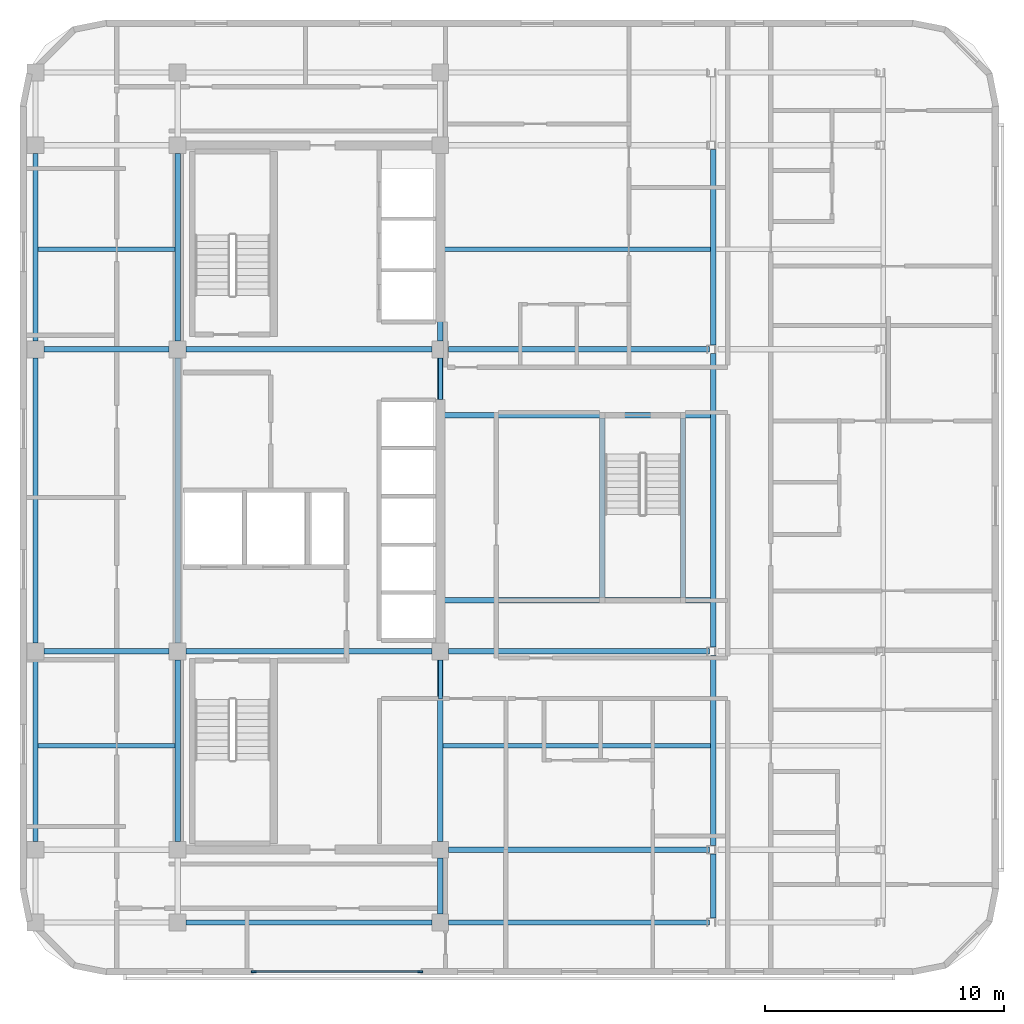
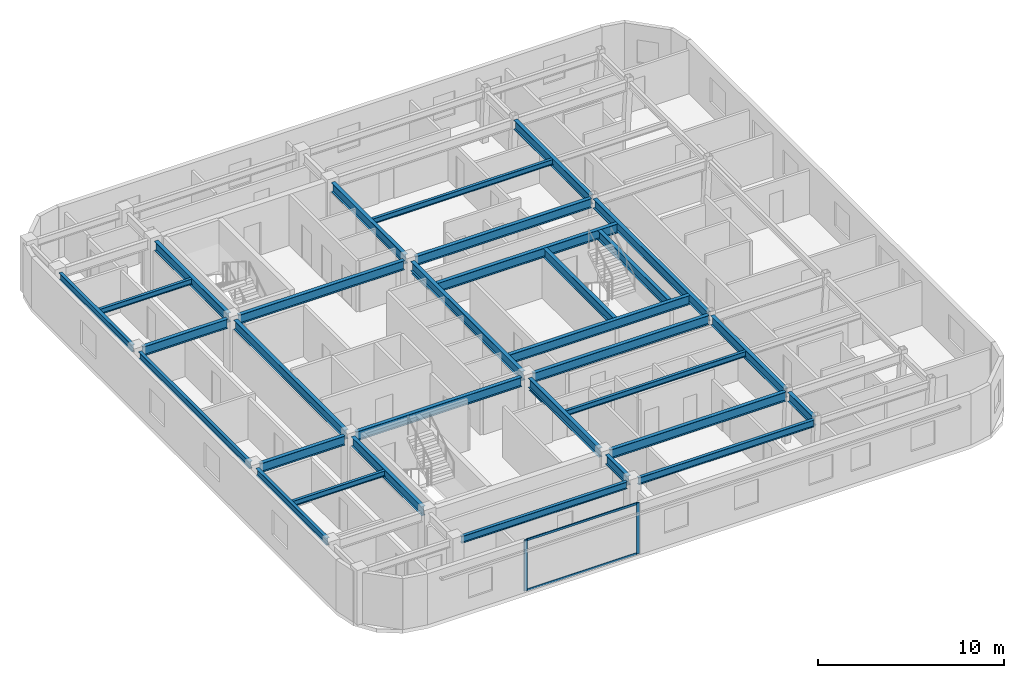
# One storey, part 2 of 11: 33 beams, 4 members, 1 element without a shape of its own.
"""IFC4 building model written with IfcOpenShell, lengths in metres."""

import ifcopenshell
import ifcopenshell.guid

model = None  # the IFC model being written
_history = None  # IfcOwnerHistory: only IFC2X3 demands one
_inside = {}  # id of a spatial element -> (the spatial element, [elements in it])
_under = {}  # id of a project, library or spatial element -> (it, [spatial elements below it])
_declared = {}  # id of a project -> (the project, [libraries it declares])
_typed = {}  # id of a type object -> (the type object, [elements of that type])
_made_of = {}  # id of a material, layer set ... -> (it, [elements and type objects made of it])


def new_model(schema):
    """Start an empty IFC model of exactly this schema.

    Asked for "IFC4X3", IfcOpenShell would pick the latest addendum, in which some entities
    have other attributes; the version numbers below select the first issue.
    IFC2X3 requires an IfcOwnerHistory on every rooted entity: one is made here for all.
    """
    global model, _history
    if schema == "IFC4X3":
        model = ifcopenshell.file(schema_version=(4, 3, 0, 0))
    else:
        model = ifcopenshell.file(schema=schema)
    _inside.clear()
    _under.clear()
    _declared.clear()
    _typed.clear()
    _made_of.clear()
    _history = None
    if model.schema == "IFC2X3":
        org = make("IfcOrganization", Name="unknown")
        user = make(
            "IfcPersonAndOrganization",
            ThePerson=make("IfcPerson", FamilyName="unknown"),
            TheOrganization=org,
        )
        app = make(
            "IfcApplication",
            ApplicationDeveloper=org,
            Version="unknown",
            ApplicationFullName="unknown",
            ApplicationIdentifier="unknown",
        )
        _history = make(
            "IfcOwnerHistory",
            OwningUser=user,
            OwningApplication=app,
            ChangeAction="ADDED",
            CreationDate=0,
        )
    return model


def make(cls, **values):
    """One entity of the class cls with the attributes given. An attribute that is None is left unset."""
    return model.create_entity(
        cls, **{name: value for name, value in values.items() if value is not None}
    )


def rooted(cls, **values):
    """An entity with a GlobalId (a new one), such as an element, a storey or a relation."""
    return make(cls, GlobalId=ifcopenshell.guid.new(), OwnerHistory=_history, **values)


def si_unit(unit_type, name, prefix=None):
    """IfcSIUnit, for example si_unit("LENGTHUNIT", "METRE", prefix="MILLI")."""
    return make("IfcSIUnit", UnitType=unit_type, Prefix=prefix, Name=name)


def assignment(units):
    """IfcUnitAssignment: the units of a project."""
    return None if units is None else make("IfcUnitAssignment", Units=units)


def point(xyz):
    """IfcCartesianPoint."""
    return None if xyz is None else make("IfcCartesianPoint", Coordinates=xyz)


def direction(xyz):
    """IfcDirection."""
    return None if xyz is None else make("IfcDirection", DirectionRatios=xyz)


def frame(location, z_axis=None, x_axis=None):
    """IfcAxis2Placement3D, a coordinate frame: its origin and axes. An axis left out is left unset."""
    return make(
        "IfcAxis2Placement3D",
        Location=point(location),
        Axis=direction(z_axis),
        RefDirection=direction(x_axis),
    )


def frame_2d(location, x_axis=None):
    """IfcAxis2Placement2D, a coordinate frame in the plane: its origin and x axis."""
    return make(
        "IfcAxis2Placement2D", Location=point(location), RefDirection=direction(x_axis)
    )


def origin():
    """The frame at (0, 0, 0) with its axes left unset."""
    return frame((0.0, 0.0, 0.0))


def origin_2d():
    """The frame at (0, 0) in the plane with its x axis left unset."""
    return frame_2d((0.0, 0.0))


def place(relative_to, where):
    """IfcLocalPlacement: puts the frame where relative to a parent placement (None: the world)."""
    return make(
        "IfcLocalPlacement", PlacementRelTo=relative_to, RelativePlacement=where
    )


def context(
    kind, dimensions, precision=None, world=None, true_north=None, identifier=None
):
    """IfcGeometricRepresentationContext, for example the 3D "Model" context."""
    return make(
        "IfcGeometricRepresentationContext",
        ContextIdentifier=identifier,
        ContextType=kind,
        CoordinateSpaceDimension=dimensions,
        Precision=precision,
        WorldCoordinateSystem=world,
        TrueNorth=true_north,
    )


def subcontext(parent, identifier, kind, view, scale=None):
    """IfcGeometricRepresentationSubContext, for example "Body" below "Model"."""
    return make(
        "IfcGeometricRepresentationSubContext",
        ContextIdentifier=identifier,
        ContextType=kind,
        ParentContext=parent,
        TargetScale=scale,
        TargetView=view,
    )


def project(units=None, contexts=None):
    """IfcProject with its units and contexts."""
    return rooted(
        "IfcProject",
        Name="project",
        RepresentationContexts=contexts,
        UnitsInContext=assignment(units),
    )


def spatial(cls, under=None, at=None, **own):
    """A site, building, storey or space (cls), placed at a placement, below another one or the project."""
    s = rooted(cls, ObjectPlacement=at, **own)
    if under is not None:
        _under.setdefault(under.id(), (under, []))[1].append(s)
    return s


def profile(cls, at=None, kind="AREA", **sizes):
    """A parametric profile (cls). Its sizes go by their IFC names, for example OverallWidth=200.0."""
    return make(cls, ProfileType=kind, Position=at, **sizes)


def rectangle(**sizes):
    """IfcRectangleProfileDef."""
    return profile("IfcRectangleProfileDef", **sizes)


def i_section(**sizes):
    """IfcIShapeProfileDef."""
    return profile("IfcIShapeProfileDef", **sizes)


def extrude(swept, where, along, depth):
    """IfcExtrudedAreaSolid: the profile swept, set in the frame where, extruded along a direction by depth."""
    return make(
        "IfcExtrudedAreaSolid",
        SweptArea=swept,
        Position=where,
        ExtrudedDirection=direction(along),
        Depth=depth,
    )


def shape(context_of_items, identifier, shape_type, items):
    """IfcShapeRepresentation: the items that make up one representation, for example the "Body"."""
    return make(
        "IfcShapeRepresentation",
        ContextOfItems=context_of_items,
        RepresentationIdentifier=identifier,
        RepresentationType=shape_type,
        Items=items,
    )


def material(Name=None, Category=None):
    """IfcMaterial."""
    return make("IfcMaterial", Name=Name, Category=Category)


def layer(
    of_material, thickness, ventilated=None, Name=None, Category=None, Priority=None
):
    """IfcMaterialLayer: one layer of a wall or slab, of a material (None: an air gap)."""
    return make(
        "IfcMaterialLayer",
        Material=of_material,
        LayerThickness=thickness,
        IsVentilated=ventilated,
        Name=Name,
        Category=Category,
        Priority=Priority,
    )


def layer_set(layers, Name=None):
    """IfcMaterialLayerSet."""
    return make("IfcMaterialLayerSet", MaterialLayers=layers, LayerSetName=Name)


def material_profile(
    of_material, cross_section, Name=None, Category=None, Priority=None
):
    """IfcMaterialProfile: a cross section and its material."""
    return make(
        "IfcMaterialProfile",
        Name=Name,
        Material=of_material,
        Profile=cross_section,
        Priority=Priority,
        Category=Category,
    )


def profile_set(profiles, Name=None, composite=None):
    """IfcMaterialProfileSet."""
    return make(
        "IfcMaterialProfileSet",
        Name=Name,
        MaterialProfiles=profiles,
        CompositeProfile=composite,
    )


def made_of(thing, what):
    """Note that an element or type object is made of a material, layer set ...; save() writes the relation."""
    if what is not None:
        _made_of.setdefault(what.id(), (what, []))[1].append(thing)
    return thing


def type_object(cls, material=None, **own):
    """A type object (cls), such as IfcWallType, which elements share."""
    return made_of(rooted(cls, **own), material)


def element(
    cls,
    number,
    at=None,
    inside=None,
    cuts=None,
    type_object=None,
    material=None,
    context=None,
    identifier="Body",
    shape_type=None,
    held_by="IfcProductDefinitionShape",
    body=None,
    shapes=None,
    **own,
):
    """One element of the class cls, such as IfcWall. Its Tag is "e" and its number.

    at: its placement. inside: the storey or other place that contains it. cuts: it is an
    opening in that element (IfcRelVoidsElement). A single representation is given by context,
    identifier, shape_type and body (its items); several are given by shapes. held_by: the class
    of the entity that holds the representations. save() writes the other relations.
    """
    e = rooted(cls, Tag="e%d" % number, ObjectPlacement=at, **own)
    if body is not None:
        shapes = [shape(context, identifier, shape_type, body)]
    if shapes is not None:
        e.Representation = make(held_by, Representations=shapes)
    if inside is not None:
        _inside.setdefault(inside.id(), (inside, []))[1].append(e)
    if cuts is not None:
        rooted(
            "IfcRelVoidsElement", RelatingBuildingElement=cuts, RelatedOpeningElement=e
        )
    if type_object is not None:
        _typed.setdefault(type_object.id(), (type_object, []))[1].append(e)
    return made_of(e, material)


def aggregate(whole, parts):
    """IfcRelAggregates: a whole, such as a stair, and the parts it consists of."""
    return rooted("IfcRelAggregates", RelatingObject=whole, RelatedObjects=parts)


def save(model, path):
    """Write the relations noted so far, then the file.

    IfcRelAggregates (storeys below a building ...), IfcRelContainedInSpatialStructure (elements
    in a storey), IfcRelDefinesByType, IfcRelAssociatesMaterial and IfcRelDeclares: one each for
    every whole, place, type object, material and project.
    """
    for whole, parts in _under.values():
        aggregate(whole, parts)
    for where, things in _inside.values():
        rooted(
            "IfcRelContainedInSpatialStructure",
            RelatedElements=things,
            RelatingStructure=where,
        )
    for kind, things in _typed.values():
        rooted("IfcRelDefinesByType", RelatedObjects=things, RelatingType=kind)
    for what, things in _made_of.values():
        rooted("IfcRelAssociatesMaterial", RelatedObjects=things, RelatingMaterial=what)
    for by, libraries in _declared.values():
        rooted("IfcRelDeclares", RelatingContext=by, RelatedDefinitions=libraries)
    model.write(path)


model = new_model("IFC4")

# Units and contexts
model_context = context("Model", 3, precision=1e-05, world=origin(), true_north=direction((0.0, 1.0)))
body_context = subcontext(model_context, "Body", "Model", "MODEL_VIEW")
ifc_project = project(units=[si_unit("LENGTHUNIT", "METRE"), si_unit("AREAUNIT", "SQUARE_METRE"), si_unit("VOLUMEUNIT", "CUBIC_METRE"), si_unit("PLANEANGLEUNIT", "RADIAN"), si_unit("MASSUNIT", "GRAM", prefix="KILO")], contexts=[model_context])

# Site, building, storey
site_placement = place(None, origin())
site = spatial("IfcSite", under=ifc_project, at=site_placement, CompositionType="ELEMENT")
building_placement = place(site_placement, origin())
building = spatial("IfcBuilding", under=site, at=building_placement, Name="Ochreholt Gables", CompositionType="ELEMENT")
storey_placement = place(building_placement, frame((0.0, 0.0, 188.39990234375)))
storey = spatial("IfcBuildingStorey", under=building, at=storey_placement, Name="L49", CompositionType="ELEMENT", Elevation=188.39990234375)

# Beams
ifc_material_1 = material(Name="Steel CSA G40.21 350W", Category="steel")
ifc_material_profile_1 = material_profile(ifc_material_1, i_section(OverallWidth=0.22900390625, OverallDepth=0.612060546875, WebThickness=0.011962890625, FlangeThickness=0.01953125, at=origin_2d()), Name="W610X125")
ifc_profile_set_1 = profile_set([ifc_material_profile_1], Name="Steel CSA G40.21 350W")
beam_type_1 = type_object("IfcBeamType", Name="BM-G-W610B", PredefinedType="BEAM", material=ifc_profile_set_1)
beam_1_placement = place(storey_placement, frame((35.549560546875, 9.25, 3.044189453125), z_axis=(1.0, 0.0, 0.0), x_axis=(0.0, 1.0, 0.0)))
element("IfcBeam", 1, at=beam_1_placement, inside=storey, type_object=beam_type_1, Name="L49 Beam TBG-L49-C2EM-Y2", PredefinedType="BEAM", context=body_context, shape_type="SweptSolid", body=[
    extrude(i_section(OverallWidth=0.22900390625, OverallDepth=0.612060546875, WebThickness=0.011962890625, FlangeThickness=0.01953125, at=origin_2d()), origin(), (0.0, 0.0, 1.0), 10.928955078125),
])
beam_2_placement = place(storey_placement, frame((18.599609375, 17.550048828125, 3.044189453125), z_axis=(1.0, 0.0, 0.0), x_axis=(0.0, 1.0, 0.0)))
element("IfcBeam", 2, at=beam_2_placement, inside=storey, type_object=beam_type_1, Name="L49 Beam TBG-L49-W3C1-Y3", PredefinedType="BEAM", context=body_context, shape_type="SweptSolid", body=[
    extrude(i_section(OverallWidth=0.22900390625, OverallDepth=0.612060546875, WebThickness=0.011962890625, FlangeThickness=0.01953125, at=origin_2d()), origin(), (0.0, 0.0, 1.0), 5.250732421875),
])
beam_3_placement = place(storey_placement, frame((24.549560546875, 17.550048828125, 3.044189453125), z_axis=(1.0, 0.0, 0.0), x_axis=(0.0, 1.0, 0.0)))
element("IfcBeam", 3, at=beam_3_placement, inside=storey, type_object=beam_type_1, Name="L49 Beam TBG-L49-C1C2-Y3", PredefinedType="BEAM", context=body_context, shape_type="SweptSolid", body=[
    extrude(i_section(OverallWidth=0.22900390625, OverallDepth=0.612060546875, WebThickness=0.011962890625, FlangeThickness=0.01953125, at=origin_2d()), origin(), (0.0, 0.0, 1.0), 10.30078125),
])
beam_4_placement = place(storey_placement, frame((35.549560546875, 17.550048828125, 3.044189453125), z_axis=(1.0, 0.0, 0.0), x_axis=(0.0, 1.0, 0.0)))
element("IfcBeam", 4, at=beam_4_placement, inside=storey, type_object=beam_type_1, Name="L49 Beam TBG-L49-C2EM-Y3", PredefinedType="BEAM", context=body_context, shape_type="SweptSolid", body=[
    extrude(i_section(OverallWidth=0.22900390625, OverallDepth=0.612060546875, WebThickness=0.011962890625, FlangeThickness=0.01953125, at=origin_2d()), origin(), (0.0, 0.0, 1.0), 10.928955078125),
])
beam_5_placement = place(storey_placement, frame((18.599609375, 30.199951171875, 3.044189453125), z_axis=(1.0, 0.0, 0.0), x_axis=(0.0, 1.0, 0.0)))
element("IfcBeam", 5, at=beam_5_placement, inside=storey, type_object=beam_type_1, Name="L49 Beam TBG-L49-W3C1-Y4", PredefinedType="BEAM", context=body_context, shape_type="SweptSolid", body=[
    extrude(i_section(OverallWidth=0.22900390625, OverallDepth=0.612060546875, WebThickness=0.011962890625, FlangeThickness=0.01953125, at=origin_2d()), origin(), (0.0, 0.0, 1.0), 5.250732421875),
])
beam_6_placement = place(storey_placement, frame((24.549560546875, 30.199951171875, 3.044189453125), z_axis=(1.0, 0.0, 0.0), x_axis=(0.0, 1.0, 0.0)))
element("IfcBeam", 6, at=beam_6_placement, inside=storey, type_object=beam_type_1, Name="L49 Beam TBG-L49-C1C2-Y4", PredefinedType="BEAM", context=body_context, shape_type="SweptSolid", body=[
    extrude(i_section(OverallWidth=0.22900390625, OverallDepth=0.612060546875, WebThickness=0.011962890625, FlangeThickness=0.01953125, at=origin_2d()), origin(), (0.0, 0.0, 1.0), 10.30078125),
])
beam_7_placement = place(storey_placement, frame((35.549560546875, 30.199951171875, 3.044189453125), z_axis=(1.0, 0.0, 0.0), x_axis=(0.0, 1.0, 0.0)))
element("IfcBeam", 7, at=beam_7_placement, inside=storey, type_object=beam_type_1, Name="L49 Beam TBG-L49-C2EM-Y4", PredefinedType="BEAM", context=body_context, shape_type="SweptSolid", body=[
    extrude(i_section(OverallWidth=0.22900390625, OverallDepth=0.612060546875, WebThickness=0.011962890625, FlangeThickness=0.01953125, at=origin_2d()), origin(), (0.0, 0.0, 1.0), 10.928955078125),
])
beam_8_placement = place(storey_placement, frame((24.199951171875, 9.599609375, 3.044189453125), z_axis=(0.0, 1.0, 0.0), x_axis=(-1.0, 0.0, 0.0)))
element("IfcBeam", 8, at=beam_8_placement, inside=storey, type_object=beam_type_1, Name="L49 Beam TBN-L49-C1-Y2Y3", PredefinedType="BEAM", context=body_context, shape_type="SweptSolid", body=[
    extrude(i_section(OverallWidth=0.22900390625, OverallDepth=0.612060546875, WebThickness=0.011962890625, FlangeThickness=0.01953125, at=origin_2d()), origin(), (0.0, 0.0, 1.0), 7.600830078125),
])
beam_9_placement = place(storey_placement, frame((24.199951171875, 17.899658203125, 3.044189453125), z_axis=(0.0, 1.0, 0.0), x_axis=(-1.0, 0.0, 0.0)))
element("IfcBeam", 9, at=beam_9_placement, inside=storey, type_object=beam_type_1, Name="L49 Beam TBN-L49-C1-Y3Y4", PredefinedType="BEAM", context=body_context, shape_type="SweptSolid", body=[
    extrude(i_section(OverallWidth=0.22900390625, OverallDepth=0.612060546875, WebThickness=0.011962890625, FlangeThickness=0.01953125, at=origin_2d()), origin(), (0.0, 0.0, 1.0), 11.95068359375),
])
beam_10_placement = place(storey_placement, frame((24.199951171875, 30.549560546875, 3.044189453125), z_axis=(0.0, 1.0, 0.0), x_axis=(-1.0, 0.0, 0.0)))
element("IfcBeam", 10, at=beam_10_placement, inside=storey, type_object=beam_type_1, Name="L49 Beam TBN-L49-C1-Y4Y5", PredefinedType="BEAM", context=body_context, shape_type="SweptSolid", body=[
    extrude(i_section(OverallWidth=0.22900390625, OverallDepth=0.612060546875, WebThickness=0.011962890625, FlangeThickness=0.01953125, at=origin_2d()), origin(), (0.0, 0.0, 1.0), 7.850830078125),
])
beam_11_placement = place(storey_placement, frame((35.199951171875, 6.549560546875, 3.044189453125), z_axis=(0.0, 1.0, 0.0), x_axis=(-1.0, 0.0, 0.0)))
element("IfcBeam", 11, at=beam_11_placement, inside=storey, type_object=beam_type_1, Name="L49 Beam TBN-L49-C2-Y1Y2", PredefinedType="BEAM", context=body_context, shape_type="SweptSolid", body=[
    extrude(i_section(OverallWidth=0.22900390625, OverallDepth=0.612060546875, WebThickness=0.011962890625, FlangeThickness=0.01953125, at=origin_2d()), origin(), (0.0, 0.0, 1.0), 2.350830078125),
])
beam_12_placement = place(storey_placement, frame((35.199951171875, 9.599609375, 3.044189453125), z_axis=(0.0, 1.0, 0.0), x_axis=(-1.0, 0.0, 0.0)))
element("IfcBeam", 12, at=beam_12_placement, inside=storey, type_object=beam_type_1, Name="L49 Beam TBN-L49-C2-Y2Y3", PredefinedType="BEAM", context=body_context, shape_type="SweptSolid", body=[
    extrude(i_section(OverallWidth=0.22900390625, OverallDepth=0.612060546875, WebThickness=0.011962890625, FlangeThickness=0.01953125, at=origin_2d()), origin(), (0.0, 0.0, 1.0), 7.600830078125),
])
beam_13_placement = place(storey_placement, frame((35.199951171875, 17.899658203125, 3.044189453125), z_axis=(0.0, 1.0, 0.0), x_axis=(-1.0, 0.0, 0.0)))
element("IfcBeam", 13, at=beam_13_placement, inside=storey, type_object=beam_type_1, Name="L49 Beam TBN-L49-C2-Y3Y4", PredefinedType="BEAM", context=body_context, shape_type="SweptSolid", body=[
    extrude(i_section(OverallWidth=0.22900390625, OverallDepth=0.612060546875, WebThickness=0.011962890625, FlangeThickness=0.01953125, at=origin_2d()), origin(), (0.0, 0.0, 1.0), 11.95068359375),
])
beam_14_placement = place(storey_placement, frame((35.199951171875, 30.549560546875, 3.044189453125), z_axis=(0.0, 1.0, 0.0), x_axis=(-1.0, 0.0, 0.0)))
element("IfcBeam", 14, at=beam_14_placement, inside=storey, type_object=beam_type_1, Name="L49 Beam TBN-L49-C2-Y4Y5", PredefinedType="BEAM", context=body_context, shape_type="SweptSolid", body=[
    extrude(i_section(OverallWidth=0.22900390625, OverallDepth=0.612060546875, WebThickness=0.011962890625, FlangeThickness=0.01953125, at=origin_2d()), origin(), (0.0, 0.0, 1.0), 7.850830078125),
])
beam_15_placement = place(storey_placement, frame((46.638427734375, 6.377685546875, 3.044189453125), z_axis=(0.0, 1.0, 0.0), x_axis=(-1.0, 0.0, 0.0)))
element("IfcBeam", 15, at=beam_15_placement, inside=storey, type_object=beam_type_1, Name="L49 Beam TBN-L49-EM-Y1Y2", PredefinedType="BEAM", context=body_context, shape_type="SweptSolid", body=[
    extrude(i_section(OverallWidth=0.22900390625, OverallDepth=0.612060546875, WebThickness=0.011962890625, FlangeThickness=0.01953125, at=origin_2d()), origin(), (0.0, 0.0, 1.0), 2.69482421875),
])
beam_16_placement = place(storey_placement, frame((46.638427734375, 9.427490234375, 3.044189453125), z_axis=(0.0, 1.0, 0.0), x_axis=(-1.0, 0.0, 0.0)))
element("IfcBeam", 16, at=beam_16_placement, inside=storey, type_object=beam_type_1, Name="L49 Beam TBN-L49-EM-Y2Y3", PredefinedType="BEAM", context=body_context, shape_type="SweptSolid", body=[
    extrude(i_section(OverallWidth=0.22900390625, OverallDepth=0.612060546875, WebThickness=0.011962890625, FlangeThickness=0.01953125, at=origin_2d()), origin(), (0.0, 0.0, 1.0), 7.94482421875),
])
beam_17_placement = place(storey_placement, frame((46.638427734375, 17.7275390625, 3.044189453125), z_axis=(0.0, 1.0, 0.0), x_axis=(-1.0, 0.0, 0.0)))
element("IfcBeam", 17, at=beam_17_placement, inside=storey, type_object=beam_type_1, Name="L49 Beam TBN-L49-EM-Y3Y4", PredefinedType="BEAM", context=body_context, shape_type="SweptSolid", body=[
    extrude(i_section(OverallWidth=0.22900390625, OverallDepth=0.612060546875, WebThickness=0.011962890625, FlangeThickness=0.01953125, at=origin_2d()), origin(), (0.0, 0.0, 1.0), 12.294921875),
])
beam_18_placement = place(storey_placement, frame((46.638427734375, 30.377685546875, 3.044189453125), z_axis=(0.0, 1.0, 0.0), x_axis=(-1.0, 0.0, 0.0)))
element("IfcBeam", 18, at=beam_18_placement, inside=storey, type_object=beam_type_1, Name="L49 Beam TBN-L49-EM-Y4Y5", PredefinedType="BEAM", context=body_context, shape_type="SweptSolid", body=[
    extrude(i_section(OverallWidth=0.22900390625, OverallDepth=0.612060546875, WebThickness=0.011962890625, FlangeThickness=0.01953125, at=origin_2d()), origin(), (0.0, 0.0, 1.0), 8.19482421875),
])
for number, where, z_axis, x_axis, name in (
    (19, (35.314208984375, 19.68994140625, 3.044189453125), (1.0, 0.0, 0.0), (0.0, 1.0, 0.0), "L49 Beam TBH-L49-ST-C5-FSTUS"),
    (20, (35.314208984375, 27.449951171875, 3.044189453125), (1.0, 0.0, 0.0), (0.0, 1.0, 0.0), "L49 Beam TBH-L49-ST-C5-FSTUN"),
):
    element("IfcBeam", number, at=place(storey_placement, frame(where, z_axis=z_axis, x_axis=x_axis)), inside=storey, type_object=beam_type_1, Name=name, PredefinedType="BEAM", context=body_context, shape_type="SweptSolid", body=[
        extrude(i_section(OverallWidth=0.22900390625, OverallDepth=0.612060546875, WebThickness=0.011962890625, FlangeThickness=0.01953125, at=origin_2d()), origin(), (0.0, 0.0, 1.0), 11.210205078125),
    ])
for number, where, z_axis, x_axis, name in (
    (21, (41.989990234375, 19.80419921875, 3.044189453125), (0.0, 1.0, 0.0), (-1.0, 0.0, 0.0), "L49 Beam TBT-L49-ST-C5-FSTUW"),
    (22, (45.3701171875, 19.80419921875, 3.044189453125), (0.0, 1.0, 0.0), (-1.0, 0.0, 0.0), "L49 Beam TBT-L49-ST-C5-FSTUE"),
):
    element("IfcBeam", number, at=place(storey_placement, frame(where, z_axis=z_axis, x_axis=x_axis)), inside=storey, type_object=beam_type_1, Name=name, PredefinedType="BEAM", context=body_context, shape_type="SweptSolid", body=[
        extrude(i_section(OverallWidth=0.22900390625, OverallDepth=0.612060546875, WebThickness=0.011962890625, FlangeThickness=0.01953125, at=origin_2d()), origin(), (0.0, 0.0, 1.0), 7.53173828125),
    ])
ifc_material_profile_2 = material_profile(ifc_material_1, i_section(OverallWidth=0.172119140625, OverallDepth=0.35791015625, WebThickness=0.0078125, FlangeThickness=0.01318359375, at=origin_2d()), Name="W360X57")
ifc_profile_set_2 = profile_set([ifc_material_profile_2], Name="Steel CSA G40.21 350W")
beam_type_2 = type_object("IfcBeamType", Name="BM-J-W360B", PredefinedType="JOIST", material=ifc_profile_set_2)
beam_19_placement = place(storey_placement, frame((18.345703125, 13.60009765625, 3.171142578125), z_axis=(1.0, 0.0, 0.0), x_axis=(0.0, 1.0, 0.0)))
element("IfcBeam", 23, at=beam_19_placement, inside=storey, type_object=beam_type_2, Name="L49 Beam TBJ-L49-J1-W3C1", PredefinedType="JOIST", context=body_context, shape_type="SweptSolid", body=[
    extrude(i_section(OverallWidth=0.172119140625, OverallDepth=0.35791015625, WebThickness=0.0078125, FlangeThickness=0.01318359375, at=origin_2d()), origin(), (0.0, 0.0, 1.0), 5.740234375),
])
beam_20_placement = place(storey_placement, frame((35.314208984375, 13.60009765625, 3.171142578125), z_axis=(1.0, 0.0, 0.0), x_axis=(0.0, 1.0, 0.0)))
element("IfcBeam", 24, at=beam_20_placement, inside=storey, type_object=beam_type_2, Name="L49 Beam TBJ-L49-J1-C2EM", PredefinedType="JOIST", context=body_context, shape_type="SweptSolid", body=[
    extrude(i_section(OverallWidth=0.172119140625, OverallDepth=0.35791015625, WebThickness=0.0078125, FlangeThickness=0.01318359375, at=origin_2d()), origin(), (0.0, 0.0, 1.0), 11.210205078125),
])
beam_21_placement = place(storey_placement, frame((18.345703125, 34.39990234375, 3.171142578125), z_axis=(1.0, 0.0, 0.0), x_axis=(0.0, 1.0, 0.0)))
element("IfcBeam", 25, at=beam_21_placement, inside=storey, type_object=beam_type_2, Name="L49 Beam TBJ-L49-J2-W3C1", PredefinedType="JOIST", context=body_context, shape_type="SweptSolid", body=[
    extrude(i_section(OverallWidth=0.172119140625, OverallDepth=0.35791015625, WebThickness=0.0078125, FlangeThickness=0.01318359375, at=origin_2d()), origin(), (0.0, 0.0, 1.0), 5.740234375),
])
beam_22_placement = place(storey_placement, frame((35.314208984375, 34.39990234375, 3.171142578125), z_axis=(1.0, 0.0, 0.0), x_axis=(0.0, 1.0, 0.0)))
element("IfcBeam", 26, at=beam_22_placement, inside=storey, type_object=beam_type_2, Name="L49 Beam TBJ-L49-J2-C2EM", PredefinedType="JOIST", context=body_context, shape_type="SweptSolid", body=[
    extrude(i_section(OverallWidth=0.172119140625, OverallDepth=0.35791015625, WebThickness=0.0078125, FlangeThickness=0.01318359375, at=origin_2d()), origin(), (0.0, 0.0, 1.0), 11.210205078125),
])
ifc_material_profile_3 = material_profile(ifc_material_1, i_section(OverallWidth=0.1650390625, OverallDepth=0.200927734375, WebThickness=0.006103515625, FlangeThickness=0.01025390625, at=origin_2d()), Name="W200X36")
ifc_profile_set_3 = profile_set([ifc_material_profile_3], Name="Steel CSA G40.21 350W")
beam_type_3 = type_object("IfcBeamType", Name="BM-LIN-W200", PredefinedType="LINTEL", material=ifc_profile_set_3)
beam_23_placement = place(storey_placement, frame((35.2099609375, 15.550048828125, 2.6376953125), z_axis=(0.0, 1.0, 0.0), x_axis=(-1.0, 0.0, 0.0)))
element("IfcBeam", 27, at=beam_23_placement, inside=storey, type_object=beam_type_3, Name="L49 Core Coupling Lintel CPS", PredefinedType="LINTEL", context=body_context, shape_type="SweptSolid", body=[
    extrude(i_section(OverallWidth=0.1650390625, OverallDepth=0.200927734375, WebThickness=0.006103515625, FlangeThickness=0.01025390625, at=origin_2d()), origin(), (0.0, 0.0, 1.0), 1.64990234375),
])
beam_24_placement = place(storey_placement, frame((35.2099609375, 28.10009765625, 2.6376953125), z_axis=(0.0, 1.0, 0.0), x_axis=(-1.0, 0.0, 0.0)))
element("IfcBeam", 28, at=beam_24_placement, inside=storey, type_object=beam_type_3, Name="L49 Core Coupling Lintel CPN", PredefinedType="LINTEL", context=body_context, shape_type="SweptSolid", body=[
    extrude(i_section(OverallWidth=0.1650390625, OverallDepth=0.200927734375, WebThickness=0.006103515625, FlangeThickness=0.01025390625, at=origin_2d()), origin(), (0.0, 0.0, 1.0), 1.75),
])
ifc_material_profile_4 = material_profile(ifc_material_1, i_section(OverallWidth=0.19189453125, OverallDepth=0.462890625, WebThickness=0.010498046875, FlangeThickness=0.017578125, at=origin_2d()), Name="W460X89")
ifc_profile_set_4 = profile_set([ifc_material_profile_4], Name="Steel CSA G40.21 350W")
beam_type_4 = type_object("IfcBeamType", Name="BM-SP-W460A", PredefinedType="SPANDREL", material=ifc_profile_set_4)
beam_25_placement = place(storey_placement, frame((24.549560546875, 6.199951171875, 3.11865234375), z_axis=(1.0, 0.0, 0.0), x_axis=(0.0, 1.0, 0.0)))
element("IfcBeam", 29, at=beam_25_placement, inside=storey, type_object=beam_type_4, Name="L49 Beam TBG-L49-C1C2-Y1", PredefinedType="SPANDREL", context=body_context, shape_type="SweptSolid", body=[
    extrude(i_section(OverallWidth=0.19189453125, OverallDepth=0.462890625, WebThickness=0.010498046875, FlangeThickness=0.017578125, at=origin_2d()), origin(), (0.0, 0.0, 1.0), 10.30078125),
])
beam_26_placement = place(storey_placement, frame((35.549560546875, 6.199951171875, 3.11865234375), z_axis=(1.0, 0.0, 0.0), x_axis=(0.0, 1.0, 0.0)))
element("IfcBeam", 30, at=beam_26_placement, inside=storey, type_object=beam_type_4, Name="L49 Beam TBG-L49-C2EM-Y1", PredefinedType="SPANDREL", context=body_context, shape_type="SweptSolid", body=[
    extrude(i_section(OverallWidth=0.19189453125, OverallDepth=0.462890625, WebThickness=0.010498046875, FlangeThickness=0.017578125, at=origin_2d()), origin(), (0.0, 0.0, 1.0), 10.928955078125),
])
beam_27_placement = place(storey_placement, frame((18.25, 9.599609375, 3.11865234375), z_axis=(0.0, 1.0, 0.0), x_axis=(-1.0, 0.0, 0.0)))
element("IfcBeam", 31, at=beam_27_placement, inside=storey, type_object=beam_type_4, Name="L49 Beam TBN-L49-W3-Y2Y3", PredefinedType="SPANDREL", context=body_context, shape_type="SweptSolid", body=[
    extrude(i_section(OverallWidth=0.19189453125, OverallDepth=0.462890625, WebThickness=0.010498046875, FlangeThickness=0.017578125, at=origin_2d()), origin(), (0.0, 0.0, 1.0), 7.600830078125),
])
beam_28_placement = place(storey_placement, frame((18.25, 17.899658203125, 3.11865234375), z_axis=(0.0, 1.0, 0.0), x_axis=(-1.0, 0.0, 0.0)))
element("IfcBeam", 32, at=beam_28_placement, inside=storey, type_object=beam_type_4, Name="L49 Beam TBN-L49-W3-Y3Y4", PredefinedType="SPANDREL", context=body_context, shape_type="SweptSolid", body=[
    extrude(i_section(OverallWidth=0.19189453125, OverallDepth=0.462890625, WebThickness=0.010498046875, FlangeThickness=0.017578125, at=origin_2d()), origin(), (0.0, 0.0, 1.0), 11.95068359375),
])
beam_29_placement = place(storey_placement, frame((18.25, 30.549560546875, 3.11865234375), z_axis=(0.0, 1.0, 0.0), x_axis=(-1.0, 0.0, 0.0)))
element("IfcBeam", 33, at=beam_29_placement, inside=storey, type_object=beam_type_4, Name="L49 Beam TBN-L49-W3-Y4Y5", PredefinedType="SPANDREL", context=body_context, shape_type="SweptSolid", body=[
    extrude(i_section(OverallWidth=0.19189453125, OverallDepth=0.462890625, WebThickness=0.010498046875, FlangeThickness=0.017578125, at=origin_2d()), origin(), (0.0, 0.0, 1.0), 7.850830078125),
])

# Curtain wall, members
ifc_material_2 = material(Name="Unitised Aluminium and Triple Glazing", Category="aluminium")
ifc_layer = layer(ifc_material_2, 0.199951171875, Name="Unitised Aluminium and Triple Glazing")
ifc_layer_set = layer_set([ifc_layer], Name="Unitised Aluminium and Triple Glazing")
curtain_wall_type = type_object("IfcCurtainWallType", Name="CW-SYS4", PredefinedType="NOTDEFINED", material=ifc_layer_set)
curtain_wall_placement = place(storey_placement, origin())
curtain_wall = element("IfcCurtainWall", 34, at=curtain_wall_placement, inside=storey, type_object=curtain_wall_type, Name="L49 South Unitised Curtain Wall", PredefinedType="NOTDEFINED")
ifc_material_3 = material(Name="Anodized Aluminium 6063-T6", Category="aluminium")
ifc_material_profile_5 = material_profile(ifc_material_3, rectangle(XDim=0.074951171875, YDim=0.199951171875, at=origin_2d()), Name="CWM75X200")
ifc_profile_set_5 = profile_set([ifc_material_profile_5], Name="Anodized Aluminium 6063-T6")
member_type_1 = type_object("IfcMemberType", Name="CW-MUL-A", PredefinedType="MULLION", material=ifc_profile_set_5)
member_1_placement = place(storey_placement, frame((27.387451171875, 4.139892578125, 0.0), z_axis=(0.0, 0.0, 1.0), x_axis=(0.0, 1.0, 0.0)))
member_1 = element("IfcMember", 35, at=member_1_placement, type_object=member_type_1, Name="CW-4 mullion 1", PredefinedType="MULLION", context=body_context, shape_type="SweptSolid", body=[
    extrude(rectangle(XDim=0.074951171875, YDim=0.199951171875, at=origin_2d()), origin(), (0.0, 0.0, 1.0), 3.35009765625),
])
member_2_placement = place(storey_placement, frame((34.362548828125, 4.139892578125, 0.0), z_axis=(0.0, 0.0, 1.0), x_axis=(0.0, 1.0, 0.0)))
member_2 = element("IfcMember", 36, at=member_2_placement, type_object=member_type_1, Name="CW-4 mullion 2", PredefinedType="MULLION", context=body_context, shape_type="SweptSolid", body=[
    extrude(rectangle(XDim=0.074951171875, YDim=0.199951171875, at=origin_2d()), origin(), (0.0, 0.0, 1.0), 3.35009765625),
])
ifc_material_profile_6 = material_profile(ifc_material_3, rectangle(XDim=0.06494140625, YDim=0.135009765625, at=origin_2d()), Name="CWT65X135")
ifc_profile_set_6 = profile_set([ifc_material_profile_6], Name="Anodized Aluminium 6063-T6")
member_type_2 = type_object("IfcMemberType", Name="CW-TRN-B", PredefinedType="USERDEFINED", material=ifc_profile_set_6)
member_3_placement = place(storey_placement, frame((27.425048828125, 4.139892578125, 0.03271484375), z_axis=(1.0, 0.0, 0.0), x_axis=(0.0, 1.0, 0.0)))
member_3 = element("IfcMember", 37, at=member_3_placement, type_object=member_type_2, Name="CW-4 transom 1.1", ObjectType="TRANSOM", PredefinedType="USERDEFINED", context=body_context, shape_type="SweptSolid", body=[
    extrude(rectangle(XDim=0.06494140625, YDim=0.135009765625, at=origin_2d()), origin(), (0.0, 0.0, 1.0), 6.89990234375),
])
member_4_placement = place(storey_placement, frame((27.425048828125, 4.139892578125, 3.317626953125), z_axis=(1.0, 0.0, 0.0), x_axis=(0.0, 1.0, 0.0)))
member_4 = element("IfcMember", 38, at=member_4_placement, type_object=member_type_2, Name="CW-4 transom 1.2", ObjectType="TRANSOM", PredefinedType="USERDEFINED", context=body_context, shape_type="SweptSolid", body=[
    extrude(rectangle(XDim=0.06494140625, YDim=0.135009765625, at=origin_2d()), origin(), (0.0, 0.0, 1.0), 6.89990234375),
])
aggregate(curtain_wall, [member_1, member_2, member_3, member_4])

save(model, "model.ifc")
